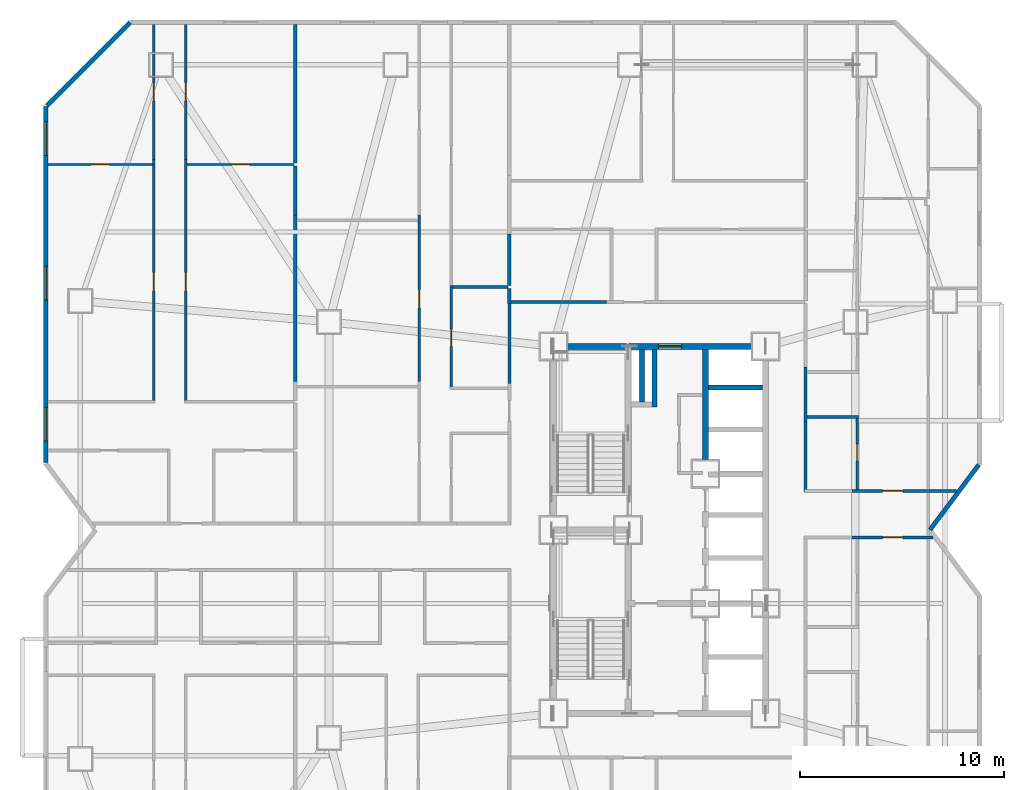
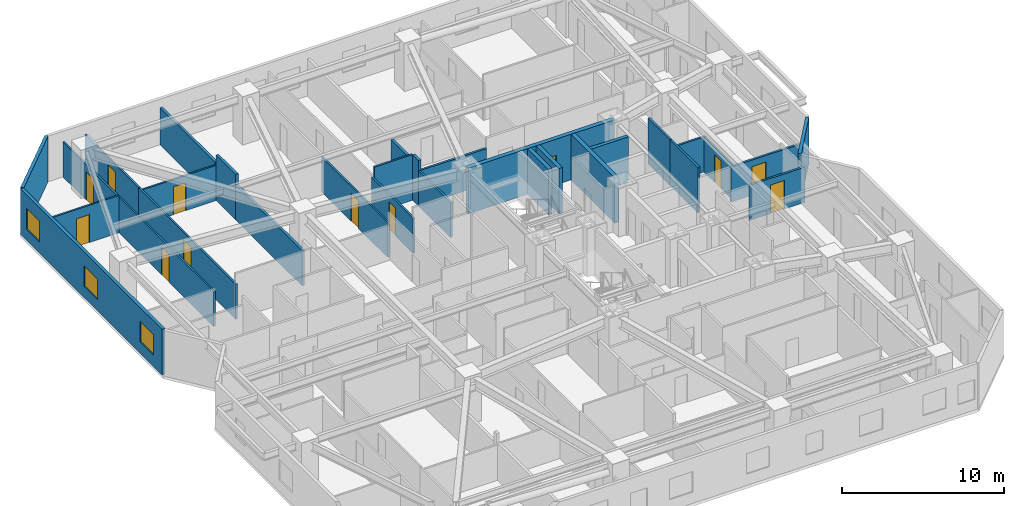
# One storey, part 11 of 14: 30 walls, 12 doors, 3 windows, 15 openings.
"""IFC4 building model written with IfcOpenShell, lengths in metres."""

from ifc_helpers import new_model, si_unit, direction, frame, frame_2d, origin, place, context, subcontext, project, spatial, rectangle, extrude, material, layer, layer_set, type_object, element, fill, save


model = new_model("IFC4")

# Units and contexts
model_context = context("Model", 3, precision=1e-05, world=origin(), true_north=direction((0.0, 1.0)))
body_context = subcontext(model_context, "Body", "Model", "MODEL_VIEW")
ifc_project = project(units=[si_unit("LENGTHUNIT", "METRE"), si_unit("AREAUNIT", "SQUARE_METRE"), si_unit("VOLUMEUNIT", "CUBIC_METRE"), si_unit("PLANEANGLEUNIT", "RADIAN"), si_unit("MASSUNIT", "GRAM", prefix="KILO")], contexts=[model_context])

# Site, building, storey
site_placement = place(None, origin())
site = spatial("IfcSite", under=ifc_project, at=site_placement, CompositionType="ELEMENT")
building_placement = place(site_placement, origin())
building = spatial("IfcBuilding", under=site, at=building_placement, Name="Khamvora Tower", CompositionType="ELEMENT")
storey_placement = place(building_placement, frame((0.0, 0.0, 40.60009765625)))
storey = spatial("IfcBuildingStorey", under=building, at=storey_placement, Name="L09", CompositionType="ELEMENT", Elevation=40.60009765625)

# Wall, opening, door
ifc_material_1 = material(Name="Concrete C50/60", Category="concrete")
ifc_layer_1 = layer(ifc_material_1, 0.300048828125)
ifc_layer_set_1 = layer_set([ifc_layer_1], Name="Concrete C50/60")
wall_type_1 = type_object("IfcWallType", Name="WAL-CORE-300", PredefinedType="SHEAR", material=ifc_layer_set_1)
wall_1_placement = place(storey_placement, frame((29.0, 37.0, 0.0), z_axis=(0.0, 0.0, 1.0), x_axis=(1.0, 0.0, 0.0)))
wall_1 = element("IfcWall", 1, at=wall_1_placement, inside=storey, type_object=wall_type_1, Name="L09 central core north wall", PredefinedType="SHEAR", context=body_context, shape_type="SweptSolid", body=[
    extrude(rectangle(XDim=10.39990234375, YDim=0.300048828125, at=frame_2d((5.199951171875, 0.0))), origin(), (0.0, 0.0, 1.0), 3.429931640625),
])
opening_1_placement = place(wall_1_placement, frame((5.139892578125, 0.0, 0.0)))
opening_1 = element("IfcOpeningElement", 2, at=opening_1_placement, cuts=wall_1, Name="Opening D-SC1", PredefinedType="OPENING", context=body_context, shape_type="SweptSolid", body=[
    extrude(rectangle(XDim=1.14990234375, YDim=2.199951171875, at=frame_2d((0.574951171875, 1.10009765625))), frame((0.0, 0.159912109375, 0.0), z_axis=(0.0, -1.0, 0.0), x_axis=(1.0, 0.0, 0.0)), (0.0, 0.0, 1.0), 0.320068359375),
])
ifc_material_2 = material(Name="Powder-Coated Steel and Hardwood Leaf", Category="steel")
door_type_1 = type_object("IfcDoorType", Name="DOR-SCHL-1150", OperationType="NOTDEFINED", PredefinedType="DOOR", material=ifc_material_2)
door_1_placement = place(opening_1_placement, origin())
door_1 = element("IfcDoor", 3, at=door_1_placement, inside=storey, type_object=door_type_1, Name="L09 north core lobby to corridor fire door", OperationType="SINGLE_SWING_RIGHT", OverallHeight=2.199951171875, OverallWidth=1.14990234375, PredefinedType="DOOR", context=body_context, shape_type="SweptSolid", body=[
    extrude(rectangle(XDim=1.14990234375, YDim=2.199951171875, at=frame_2d((0.574951171875, 1.10009765625))), frame((0.0, 0.02490234375, 0.0), z_axis=(0.0, -1.0, 0.0), x_axis=(1.0, 0.0, 0.0)), (0.0, 0.0, 1.0), 0.050048828125),
])
fill(opening_1, door_1)

# Walls
wall_2_placement = place(storey_placement, frame((36.449951171875, 31.449951171875, 0.0), z_axis=(0.0, 0.0, 1.0), x_axis=(0.0, 1.0, 0.0)))
element("IfcWall", 4, at=wall_2_placement, inside=storey, type_object=wall_type_1, Name="L09 central core lift bank north wall", PredefinedType="SHEAR", context=body_context, shape_type="SweptSolid", body=[
    extrude(rectangle(XDim=5.39599609375, YDim=0.300048828125, at=frame_2d((2.697998046875, 0.0))), origin(), (0.0, 0.0, 1.0), 3.429931640625),
])
ifc_material_3 = material(Name="Fire-Rated Drywall and Steel Stud", Category="steel")
ifc_layer_2 = layer(ifc_material_3, 0.14990234375)
ifc_layer_set_2 = layer_set([ifc_layer_2], Name="Fire-Rated Drywall and Steel Stud")
wall_type_2 = type_object("IfcWallType", Name="WAL-CORR-150", PredefinedType="STANDARD", material=ifc_layer_set_2)
wall_3_placement = place(storey_placement, frame((26.8349609375, 35.18994140625, 0.0), z_axis=(0.0, 0.0, 1.0), x_axis=(0.0, 1.0, 0.0)))
element("IfcWall", 5, at=wall_3_placement, inside=storey, type_object=wall_type_2, Name="L09 interior partition wall 020", PredefinedType="STANDARD", context=body_context, shape_type="SweptSolid", body=[
    extrude(rectangle(XDim=3.91015625, YDim=0.14990234375, at=frame_2d((1.955078125, 0.0))), origin(), (0.0, 0.0, 1.0), 2.64697265625),
])
wall_4_placement = place(storey_placement, frame((26.89990234375, 39.1650390625, 0.0), z_axis=(0.0, 0.0, 1.0), x_axis=(1.0, 0.0, 0.0)))
element("IfcWall", 6, at=wall_4_placement, inside=storey, type_object=wall_type_2, Name="L09 interior partition wall 026", PredefinedType="STANDARD", context=body_context, shape_type="SweptSolid", body=[
    extrude(rectangle(XDim=4.701171875, YDim=0.14990234375, at=frame_2d((2.3505859375, 0.0))), origin(), (0.0, 0.0, 1.0), 2.64697265625),
])

# Wall, opening, door
wall_5_placement = place(storey_placement, frame((47.611083984375, 27.635009765625, 0.0), z_axis=(0.0, 0.0, 1.0), x_axis=(-1.0, 0.0, 0.0)))
wall_5 = element("IfcWall", 7, at=wall_5_placement, inside=storey, type_object=wall_type_2, Name="L09 interior partition wall 029", PredefinedType="STANDARD", context=body_context, shape_type="SweptSolid", body=[
    extrude(rectangle(XDim=3.965087890625, YDim=0.14990234375, at=frame_2d((1.982421875, 0.0))), origin(), (0.0, 0.0, 1.0), 2.64697265625),
])
opening_2_placement = place(wall_5_placement, frame((1.47607421875, 0.0, 0.0)))
opening_2 = element("IfcOpeningElement", 8, at=opening_2_placement, cuts=wall_5, Name="Opening D-U1", PredefinedType="OPENING", context=body_context, shape_type="SweptSolid", body=[
    extrude(rectangle(XDim=1.0, YDim=2.14990234375, at=frame_2d((0.5, 1.074951171875))), frame((0.0, 0.0849609375, 0.0), z_axis=(0.0, -1.0, 0.0), x_axis=(1.0, 0.0, 0.0)), (0.0, 0.0, 1.0), 0.169921875),
])
door_type_2 = type_object("IfcDoorType", Name="DOR-UNIT-1000", OperationType="NOTDEFINED", PredefinedType="DOOR", material=ifc_material_2)
door_2_placement = place(opening_2_placement, origin())
door_2 = element("IfcDoor", 9, at=door_2_placement, inside=storey, type_object=door_type_2, Name="L09 interior door COR-09EAH", OperationType="SINGLE_SWING_RIGHT", OverallHeight=2.14990234375, OverallWidth=1.0, PredefinedType="DOOR", context=body_context, shape_type="SweptSolid", body=[
    extrude(rectangle(XDim=1.0, YDim=2.14990234375, at=frame_2d((0.5, 1.074951171875))), frame((0.0, 0.02490234375, 0.0), z_axis=(0.0, -1.0, 0.0), x_axis=(1.0, 0.0, 0.0)), (0.0, 0.0, 1.0), 0.050048828125),
])
fill(opening_2, door_2)

# Wall
wall_6_placement = place(storey_placement, frame((41.364990234375, 35.989990234375, 0.0), z_axis=(0.0, 0.0, 1.0), x_axis=(0.0, -1.0, 0.0)))
element("IfcWall", 10, at=wall_6_placement, inside=storey, type_object=wall_type_2, Name="L09 interior partition wall 034", PredefinedType="STANDARD", context=body_context, shape_type="SweptSolid", body=[
    extrude(rectangle(XDim=2.697998046875, YDim=0.14990234375, at=frame_2d((1.34912109375, 0.0))), origin(), (0.0, 0.0, 1.0), 3.429931640625),
])

# Wall, opening, door
wall_7_placement = place(storey_placement, frame((43.64599609375, 29.9150390625, 0.0), z_axis=(0.0, 0.0, 1.0), x_axis=(1.0, 0.0, 0.0)))
wall_7 = element("IfcWall", 11, at=wall_7_placement, inside=storey, type_object=wall_type_2, Name="L09 interior partition wall 035", PredefinedType="STANDARD", context=body_context, shape_type="SweptSolid", body=[
    extrude(rectangle(XDim=5.125, YDim=0.14990234375, at=frame_2d((2.5625, 0.0))), origin(), (0.0, 0.0, 1.0), 2.64697265625),
])
opening_3_placement = place(wall_7_placement, frame((1.489013671875, 0.0, 0.0)))
opening_3 = element("IfcOpeningElement", 12, at=opening_3_placement, cuts=wall_7, Name="Opening D-U1", PredefinedType="OPENING", context=body_context, shape_type="SweptSolid", body=[
    extrude(rectangle(XDim=1.0, YDim=2.14990234375, at=frame_2d((0.5, 1.074951171875))), frame((0.0, 0.0849609375, 0.0), z_axis=(0.0, -1.0, 0.0), x_axis=(1.0, 0.0, 0.0)), (0.0, 0.0, 1.0), 0.169921875),
])
door_3_placement = place(opening_3_placement, origin())
door_3 = element("IfcDoor", 13, at=door_3_placement, inside=storey, type_object=door_type_2, Name="L09 interior door COR-09EBH", OperationType="SINGLE_SWING_LEFT", OverallHeight=2.14990234375, OverallWidth=1.0, PredefinedType="DOOR", context=body_context, shape_type="SweptSolid", body=[
    extrude(rectangle(XDim=1.0, YDim=2.14990234375, at=frame_2d((0.5, 1.074951171875))), frame((0.0, 0.02490234375, 0.0), z_axis=(0.0, -1.0, 0.0), x_axis=(1.0, 0.0, 0.0)), (0.0, 0.0, 1.0), 0.050048828125),
])
fill(opening_3, door_3)

# Walls
wall_8_placement = place(storey_placement, frame((41.364990234375, 33.2919921875, 0.0), z_axis=(0.0, 0.0, 1.0), x_axis=(0.0, -1.0, 0.0)))
element("IfcWall", 14, at=wall_8_placement, inside=storey, type_object=wall_type_2, Name="L09 interior partition wall 036", PredefinedType="STANDARD", context=body_context, shape_type="SweptSolid", body=[
    extrude(rectangle(XDim=3.44189453125, YDim=0.14990234375, at=frame_2d((1.720947265625, 0.0))), origin(), (0.0, 0.0, 1.0), 3.429931640625),
])
ifc_material_4 = material(Name="Acoustic Double-Stud Fire Wall", Category="gypsum")
ifc_layer_3 = layer(ifc_material_4, 0.179931640625)
ifc_layer_set_3 = layer_set([ifc_layer_3], Name="Acoustic Double-Stud Fire Wall")
wall_type_3 = type_object("IfcWallType", Name="WAL-CORR-180", PredefinedType="STANDARD", material=ifc_layer_set_3)
wall_9_placement = place(storey_placement, frame((16.345947265625, 43.44091796875, 0.0), z_axis=(0.0, 0.0, 1.0), x_axis=(0.0, -1.0, 0.0)))
element("IfcWall", 15, at=wall_9_placement, inside=storey, type_object=wall_type_3, Name="L09 interior partition wall 088", PredefinedType="STANDARD", context=body_context, shape_type="SweptSolid", body=[
    extrude(rectangle(XDim=8.169921875, YDim=0.179931640625, at=frame_2d((4.0849609375, 0.0))), origin(), (0.0, 0.0, 1.0), 2.64697265625),
])
wall_10_placement = place(storey_placement, frame((16.345947265625, 45.85107421875, 0.0), z_axis=(0.0, 0.0, 1.0), x_axis=(0.0, -1.0, 0.0)))
element("IfcWall", 16, at=wall_10_placement, inside=storey, type_object=wall_type_3, Name="L09 interior partition wall 089", PredefinedType="STANDARD", context=body_context, shape_type="SweptSolid", body=[
    extrude(rectangle(XDim=2.41015625, YDim=0.179931640625, at=frame_2d((1.205078125, 0.0))), origin(), (0.0, 0.0, 1.0), 3.429931640625),
])
wall_11_placement = place(storey_placement, frame((16.345947265625, 52.7880859375, 0.0), z_axis=(0.0, 0.0, 1.0), x_axis=(0.0, -1.0, 0.0)))
element("IfcWall", 17, at=wall_11_placement, inside=storey, type_object=wall_type_3, Name="L09 interior partition wall 090", PredefinedType="STANDARD", context=body_context, shape_type="SweptSolid", body=[
    extrude(rectangle(XDim=6.80712890625, YDim=0.179931640625, at=frame_2d((3.403564453125, 0.0))), origin(), (0.0, 0.0, 1.0), 2.802978515625),
])
wall_12_placement = place(storey_placement, frame((26.8349609375, 42.49609375, 0.0), z_axis=(0.0, 0.0, 1.0), x_axis=(0.0, -1.0, 0.0)))
element("IfcWall", 18, at=wall_12_placement, inside=storey, type_object=wall_type_3, Name="L09 interior partition wall 094", PredefinedType="STANDARD", context=body_context, shape_type="SweptSolid", body=[
    extrude(rectangle(XDim=2.525146484375, YDim=0.179931640625, at=frame_2d((1.2626953125, 0.0))), origin(), (0.0, 0.0, 1.0), 2.956787109375),
])
wall_13_placement = place(storey_placement, frame((26.8349609375, 39.841064453125, 0.0), z_axis=(0.0, 0.0, 1.0), x_axis=(0.0, -1.0, 0.0)))
element("IfcWall", 19, at=wall_13_placement, inside=storey, type_object=wall_type_3, Name="L09 interior partition wall 103", PredefinedType="STANDARD", context=body_context, shape_type="SweptSolid", body=[
    extrude(rectangle(XDim=0.740966796875, YDim=0.179931640625, at=frame_2d((0.37060546875, 0.0))), origin(), (0.0, 0.0, 1.0), 3.429931640625),
])

# Wall, openings, windows
ifc_material_5 = material(Name="Precast concrete C40/50", Category="concrete")
ifc_layer_4 = layer(ifc_material_5, 0.219970703125)
ifc_layer_set_4 = layer_set([ifc_layer_4], Name="Precast concrete C40/50")
wall_type_4 = type_object("IfcWallType", Name="WAL-EXT-220", PredefinedType="STANDARD", material=ifc_layer_set_4)
wall_14_placement = place(storey_placement, frame((4.110107421875, 31.294921875, 0.0), z_axis=(0.0, 0.0, 1.0), x_axis=(0.0, 1.0, 0.0)))
wall_14 = element("IfcWall", 20, at=wall_14_placement, inside=storey, type_object=wall_type_4, Name="L09 exterior facade wall 05.1", PredefinedType="STANDARD", context=body_context, shape_type="SweptSolid", body=[
    extrude(rectangle(XDim=17.458984375, YDim=0.219970703125, at=frame_2d((8.7294921875, 0.0))), origin(), (0.0, 0.0, 1.0), 3.429931640625),
])
opening_4_placement = place(wall_14_placement, frame((1.05810546875, 0.0, 0.85009765625)))
opening_4 = element("IfcOpeningElement", 21, at=opening_4_placement, cuts=wall_14, Name="Opening WN-06", PredefinedType="OPENING", context=body_context, shape_type="SweptSolid", body=[
    extrude(rectangle(XDim=1.64990234375, YDim=1.550048828125, at=frame_2d((0.824951171875, 0.77490234375))), frame((0.0, 0.119873046875, 0.0), z_axis=(0.0, -1.0, 0.0), x_axis=(1.0, 0.0, 0.0)), (0.0, 0.0, 1.0), 0.239990234375),
])
opening_5_placement = place(wall_14_placement, frame((7.97607421875, 0.0, 0.85009765625)))
opening_5 = element("IfcOpeningElement", 22, at=opening_5_placement, cuts=wall_14, Name="Opening WN-06", PredefinedType="OPENING", context=body_context, shape_type="SweptSolid", body=[
    extrude(rectangle(XDim=1.64990234375, YDim=1.550048828125, at=frame_2d((0.824951171875, 0.77490234375))), frame((0.0, 0.119873046875, 0.0), z_axis=(0.0, -1.0, 0.0), x_axis=(1.0, 0.0, 0.0)), (0.0, 0.0, 1.0), 0.239990234375),
])
opening_6_placement = place(wall_14_placement, frame((15.072998046875, 0.0, 0.85009765625)))
opening_6 = element("IfcOpeningElement", 23, at=opening_6_placement, cuts=wall_14, Name="Opening WN-06", PredefinedType="OPENING", context=body_context, shape_type="SweptSolid", body=[
    extrude(rectangle(XDim=1.64990234375, YDim=1.550048828125, at=frame_2d((0.824951171875, 0.77490234375))), frame((0.0, 0.119873046875, 0.0), z_axis=(0.0, -1.0, 0.0), x_axis=(1.0, 0.0, 0.0)), (0.0, 0.0, 1.0), 0.239990234375),
])
ifc_material_6 = material(Name="Low-E Laminated Double Glazing", Category="glass")
window_type = type_object("IfcWindowType", Name="WIN-VIS-1650x1550", PartitioningType="SINGLE_PANEL", PredefinedType="WINDOW", material=ifc_material_6)
window_1_placement = place(opening_4_placement, origin())
window_1 = element("IfcWindow", 24, at=window_1_placement, inside=storey, type_object=window_type, Name="L09 vision window 05.1.01", OverallHeight=1.550048828125, OverallWidth=1.64990234375, PartitioningType="SINGLE_PANEL", PredefinedType="WINDOW", context=body_context, shape_type="SweptSolid", body=[
    extrude(rectangle(XDim=1.64990234375, YDim=1.550048828125, at=frame_2d((0.824951171875, 0.77490234375))), frame((0.0, 0.030029296875, 0.0), z_axis=(0.0, -1.0, 0.0), x_axis=(1.0, 0.0, 0.0)), (0.0, 0.0, 1.0), 0.06005859375),
])
fill(opening_4, window_1)
window_2_placement = place(opening_5_placement, origin())
window_2 = element("IfcWindow", 25, at=window_2_placement, inside=storey, type_object=window_type, Name="L09 vision window 05.1.02", OverallHeight=1.550048828125, OverallWidth=1.64990234375, PartitioningType="SINGLE_PANEL", PredefinedType="WINDOW", context=body_context, shape_type="SweptSolid", body=[
    extrude(rectangle(XDim=1.64990234375, YDim=1.550048828125, at=frame_2d((0.824951171875, 0.77490234375))), frame((0.0, 0.030029296875, 0.0), z_axis=(0.0, -1.0, 0.0), x_axis=(1.0, 0.0, 0.0)), (0.0, 0.0, 1.0), 0.06005859375),
])
fill(opening_5, window_2)
window_3_placement = place(opening_6_placement, origin())
window_3 = element("IfcWindow", 26, at=window_3_placement, inside=storey, type_object=window_type, Name="L09 vision window 05.1.03", OverallHeight=1.550048828125, OverallWidth=1.64990234375, PartitioningType="SINGLE_PANEL", PredefinedType="WINDOW", context=body_context, shape_type="SweptSolid", body=[
    extrude(rectangle(XDim=1.64990234375, YDim=1.550048828125, at=frame_2d((0.824951171875, 0.77490234375))), frame((0.0, 0.030029296875, 0.0), z_axis=(0.0, -1.0, 0.0), x_axis=(1.0, 0.0, 0.0)), (0.0, 0.0, 1.0), 0.06005859375),
])
fill(opening_6, window_3)

# Walls
wall_15_placement = place(storey_placement, frame((4.157958984375, 48.802001953125, 0.0), z_axis=(0.0, 0.0, 1.0), x_axis=(0.70712789547, 0.707085666273, 0.0)))
element("IfcWall", 27, at=wall_15_placement, inside=storey, type_object=wall_type_4, Name="L09 exterior facade wall 06.1", PredefinedType="STANDARD", context=body_context, shape_type="SweptSolid", body=[
    extrude(rectangle(XDim=5.78125, YDim=0.219970703125, at=frame_2d((2.890625, 0.0))), origin(), (0.0, 0.0, 1.0), 3.429931640625),
])
wall_16_placement = place(storey_placement, frame((49.85595703125, 31.19091796875, 0.0), z_axis=(0.0, 0.0, 1.0), x_axis=(-0.600137081448, -0.799897170561, 0.0)))
element("IfcWall", 28, at=wall_16_placement, inside=storey, type_object=wall_type_4, Name="L09 exterior facade wall 10.1", PredefinedType="STANDARD", context=body_context, shape_type="SweptSolid", body=[
    extrude(rectangle(XDim=3.9892578125, YDim=0.219970703125, at=frame_2d((1.99462890625, 0.0))), origin(), (0.0, 0.0, 1.0), 3.429931640625),
])

# Wall, opening, door
ifc_material_7 = material(Name="Gypsum Plasterboard Partition", Category="gypsum")
ifc_layer_5 = layer(ifc_material_7, 0.1201171875)
ifc_layer_set_5 = layer_set([ifc_layer_5], Name="Gypsum Plasterboard Partition")
wall_type_5 = type_object("IfcWallType", Name="WAL-PART-120", PredefinedType="PARTITIONING", material=ifc_layer_set_5)
wall_17_placement = place(storey_placement, frame((9.410888671875, 34.2099609375, 0.0), z_axis=(0.0, 0.0, 1.0), x_axis=(0.0, 1.0, 0.0)))
wall_17 = element("IfcWall", 29, at=wall_17_placement, inside=storey, type_object=wall_type_5, Name="L09 interior partition wall 078", PredefinedType="PARTITIONING", context=body_context, shape_type="SweptSolid", body=[
    extrude(rectangle(XDim=11.955078125, YDim=0.1201171875, at=frame_2d((5.9775390625, 0.0))), origin(), (0.0, 0.0, 1.0), 2.64697265625),
])
opening_7_placement = place(wall_17_placement, frame((5.506103515625, 0.0, 0.0)))
opening_7 = element("IfcOpeningElement", 30, at=opening_7_placement, cuts=wall_17, Name="Opening D-RM1", PredefinedType="OPENING", context=body_context, shape_type="SweptSolid", body=[
    extrude(rectangle(XDim=0.89990234375, YDim=2.10009765625, at=frame_2d((0.449951171875, 1.050048828125))), frame((0.0, 0.070068359375, 0.0), z_axis=(0.0, -1.0, 0.0), x_axis=(1.0, 0.0, 0.0)), (0.0, 0.0, 1.0), 0.14013671875),
])
door_type_3 = type_object("IfcDoorType", Name="DOR-ROOM-900", OperationType="NOTDEFINED", PredefinedType="DOOR", material=ifc_material_2)
door_4_placement = place(opening_7_placement, origin())
door_4 = element("IfcDoor", 31, at=door_4_placement, inside=storey, type_object=door_type_3, Name="L09 interior door 09WB1H-09WB1R1", OperationType="SINGLE_SWING_RIGHT", OverallHeight=2.10009765625, OverallWidth=0.89990234375, PredefinedType="DOOR", context=body_context, shape_type="SweptSolid", body=[
    extrude(rectangle(XDim=0.89990234375, YDim=2.10009765625, at=frame_2d((0.449951171875, 1.050048828125))), frame((0.0, 0.02490234375, 0.0), z_axis=(0.0, -1.0, 0.0), x_axis=(1.0, 0.0, 0.0)), (0.0, 0.0, 1.0), 0.050048828125),
])
fill(opening_7, door_4)

wall_18_placement = place(storey_placement, frame((9.410888671875, 46.1650390625, 0.0), z_axis=(0.0, 0.0, 1.0), x_axis=(0.0, 1.0, 0.0)))
wall_18 = element("IfcWall", 32, at=wall_18_placement, inside=storey, type_object=wall_type_5, Name="L09 interior partition wall 079", PredefinedType="PARTITIONING", context=body_context, shape_type="SweptSolid", body=[
    extrude(rectangle(XDim=6.623046875, YDim=0.1201171875, at=frame_2d((3.3115234375, 0.0))), origin(), (0.0, 0.0, 1.0), 2.64697265625),
])
opening_8_placement = place(wall_18_placement, frame((2.861083984375, 0.0, 0.0)))
opening_8 = element("IfcOpeningElement", 33, at=opening_8_placement, cuts=wall_18, Name="Opening D-RM1", PredefinedType="OPENING", context=body_context, shape_type="SweptSolid", body=[
    extrude(rectangle(XDim=0.89990234375, YDim=2.10009765625, at=frame_2d((0.449951171875, 1.050048828125))), frame((0.0, 0.070068359375, 0.0), z_axis=(0.0, -1.0, 0.0), x_axis=(1.0, 0.0, 0.0)), (0.0, 0.0, 1.0), 0.14013671875),
])
door_5_placement = place(opening_8_placement, origin())
door_5 = element("IfcDoor", 34, at=door_5_placement, inside=storey, type_object=door_type_3, Name="L09 interior door 09WB1H-09WB1R2", OperationType="SINGLE_SWING_LEFT", OverallHeight=2.10009765625, OverallWidth=0.89990234375, PredefinedType="DOOR", context=body_context, shape_type="SweptSolid", body=[
    extrude(rectangle(XDim=0.89990234375, YDim=2.10009765625, at=frame_2d((0.449951171875, 1.050048828125))), frame((0.0, 0.02490234375, 0.0), z_axis=(0.0, -1.0, 0.0), x_axis=(1.0, 0.0, 0.0)), (0.0, 0.0, 1.0), 0.050048828125),
])
fill(opening_8, door_5)

wall_19_placement = place(storey_placement, frame((10.98095703125, 46.1650390625, 0.0), z_axis=(0.0, 0.0, 1.0), x_axis=(0.0, -1.0, 0.0)))
wall_19 = element("IfcWall", 35, at=wall_19_placement, inside=storey, type_object=wall_type_5, Name="L09 interior partition wall 080", PredefinedType="PARTITIONING", context=body_context, shape_type="SweptSolid", body=[
    extrude(rectangle(XDim=11.955078125, YDim=0.1201171875, at=frame_2d((5.9775390625, 0.0))), origin(), (0.0, 0.0, 1.0), 2.64697265625),
])
opening_9_placement = place(wall_19_placement, frame((5.548095703125, 0.0, 0.0)))
opening_9 = element("IfcOpeningElement", 36, at=opening_9_placement, cuts=wall_19, Name="Opening D-RM1", PredefinedType="OPENING", context=body_context, shape_type="SweptSolid", body=[
    extrude(rectangle(XDim=0.89990234375, YDim=2.10009765625, at=frame_2d((0.449951171875, 1.050048828125))), frame((0.0, 0.070068359375, 0.0), z_axis=(0.0, -1.0, 0.0), x_axis=(1.0, 0.0, 0.0)), (0.0, 0.0, 1.0), 0.14013671875),
])
door_6_placement = place(opening_9_placement, origin())
door_6 = element("IfcDoor", 37, at=door_6_placement, inside=storey, type_object=door_type_3, Name="L09 interior door 09WB1H-09WB1R3", OperationType="SINGLE_SWING_RIGHT", OverallHeight=2.10009765625, OverallWidth=0.89990234375, PredefinedType="DOOR", context=body_context, shape_type="SweptSolid", body=[
    extrude(rectangle(XDim=0.89990234375, YDim=2.10009765625, at=frame_2d((0.449951171875, 1.050048828125))), frame((0.0, 0.02490234375, 0.0), z_axis=(0.0, -1.0, 0.0), x_axis=(1.0, 0.0, 0.0)), (0.0, 0.0, 1.0), 0.050048828125),
])
fill(opening_9, door_6)

wall_20_placement = place(storey_placement, frame((10.98095703125, 52.7880859375, 0.0), z_axis=(0.0, 0.0, 1.0), x_axis=(0.0, -1.0, 0.0)))
wall_20 = element("IfcWall", 38, at=wall_20_placement, inside=storey, type_object=wall_type_5, Name="L09 interior partition wall 082", PredefinedType="PARTITIONING", context=body_context, shape_type="SweptSolid", body=[
    extrude(rectangle(XDim=6.623046875, YDim=0.1201171875, at=frame_2d((3.3115234375, 0.0))), origin(), (0.0, 0.0, 1.0), 2.64697265625),
])
opening_10_placement = place(wall_20_placement, frame((2.861083984375, 0.0, 0.0)))
opening_10 = element("IfcOpeningElement", 39, at=opening_10_placement, cuts=wall_20, Name="Opening D-RM1", PredefinedType="OPENING", context=body_context, shape_type="SweptSolid", body=[
    extrude(rectangle(XDim=0.89990234375, YDim=2.10009765625, at=frame_2d((0.449951171875, 1.050048828125))), frame((0.0, 0.070068359375, 0.0), z_axis=(0.0, -1.0, 0.0), x_axis=(1.0, 0.0, 0.0)), (0.0, 0.0, 1.0), 0.14013671875),
])
door_7_placement = place(opening_10_placement, origin())
door_7 = element("IfcDoor", 40, at=door_7_placement, inside=storey, type_object=door_type_3, Name="L09 interior door 09WB1H-09WB1R4", OperationType="SINGLE_SWING_RIGHT", OverallHeight=2.10009765625, OverallWidth=0.89990234375, PredefinedType="DOOR", context=body_context, shape_type="SweptSolid", body=[
    extrude(rectangle(XDim=0.89990234375, YDim=2.10009765625, at=frame_2d((0.449951171875, 1.050048828125))), frame((0.0, 0.02490234375, 0.0), z_axis=(0.0, -1.0, 0.0), x_axis=(1.0, 0.0, 0.0)), (0.0, 0.0, 1.0), 0.050048828125),
])
fill(opening_10, door_7)

wall_21_placement = place(storey_placement, frame((4.2119140625, 45.916015625, 0.0), z_axis=(0.0, 0.0, 1.0), x_axis=(1.0, 0.0, 0.0)))
wall_21 = element("IfcWall", 41, at=wall_21_placement, inside=storey, type_object=wall_type_5, Name="L09 interior partition wall 085", PredefinedType="PARTITIONING", context=body_context, shape_type="SweptSolid", body=[
    extrude(rectangle(XDim=5.14501953125, YDim=0.1201171875, at=frame_2d((2.572509765625, 0.0))), origin(), (0.0, 0.0, 1.0), 2.802978515625),
])
opening_11_placement = place(wall_21_placement, frame((2.1220703125, 0.0, 0.0)))
opening_11 = element("IfcOpeningElement", 42, at=opening_11_placement, cuts=wall_21, Name="Opening D-RM1", PredefinedType="OPENING", context=body_context, shape_type="SweptSolid", body=[
    extrude(rectangle(XDim=0.89990234375, YDim=2.10009765625, at=frame_2d((0.449951171875, 1.050048828125))), frame((0.0, 0.070068359375, 0.0), z_axis=(0.0, -1.0, 0.0), x_axis=(1.0, 0.0, 0.0)), (0.0, 0.0, 1.0), 0.14013671875),
])
door_8_placement = place(opening_11_placement, origin())
door_8 = element("IfcDoor", 43, at=door_8_placement, inside=storey, type_object=door_type_3, Name="L09 interior door 09WB1R1-09WB1R2", OperationType="SINGLE_SWING_RIGHT", OverallHeight=2.10009765625, OverallWidth=0.89990234375, PredefinedType="DOOR", context=body_context, shape_type="SweptSolid", body=[
    extrude(rectangle(XDim=0.89990234375, YDim=2.10009765625, at=frame_2d((0.449951171875, 1.050048828125))), frame((0.0, 0.02490234375, 0.0), z_axis=(0.0, -1.0, 0.0), x_axis=(1.0, 0.0, 0.0)), (0.0, 0.0, 1.0), 0.050048828125),
])
fill(opening_11, door_8)

wall_22_placement = place(storey_placement, frame((11.034912109375, 45.916015625, 0.0), z_axis=(0.0, 0.0, 1.0), x_axis=(1.0, 0.0, 0.0)))
wall_22 = element("IfcWall", 44, at=wall_22_placement, inside=storey, type_object=wall_type_5, Name="L09 interior partition wall 086", PredefinedType="PARTITIONING", context=body_context, shape_type="SweptSolid", body=[
    extrude(rectangle(XDim=5.24609375, YDim=0.1201171875, at=frame_2d((2.623046875, 0.0))), origin(), (0.0, 0.0, 1.0), 2.64697265625),
])
opening_12_placement = place(wall_22_placement, frame((2.173095703125, 0.0, 0.0)))
opening_12 = element("IfcOpeningElement", 45, at=opening_12_placement, cuts=wall_22, Name="Opening D-RM1", PredefinedType="OPENING", context=body_context, shape_type="SweptSolid", body=[
    extrude(rectangle(XDim=0.89990234375, YDim=2.10009765625, at=frame_2d((0.449951171875, 1.050048828125))), frame((0.0, 0.070068359375, 0.0), z_axis=(0.0, -1.0, 0.0), x_axis=(1.0, 0.0, 0.0)), (0.0, 0.0, 1.0), 0.14013671875),
])
door_9_placement = place(opening_12_placement, origin())
door_9 = element("IfcDoor", 46, at=door_9_placement, inside=storey, type_object=door_type_3, Name="L09 interior door 09WB1R3-09WB1R4", OperationType="SINGLE_SWING_LEFT", OverallHeight=2.10009765625, OverallWidth=0.89990234375, PredefinedType="DOOR", context=body_context, shape_type="SweptSolid", body=[
    extrude(rectangle(XDim=0.89990234375, YDim=2.10009765625, at=frame_2d((0.449951171875, 1.050048828125))), frame((0.0, 0.02490234375, 0.0), z_axis=(0.0, -1.0, 0.0), x_axis=(1.0, 0.0, 0.0)), (0.0, 0.0, 1.0), 0.050048828125),
])
fill(opening_12, door_9)

wall_23_placement = place(storey_placement, frame((22.409912109375, 35.27099609375, 0.0), z_axis=(0.0, 0.0, 1.0), x_axis=(0.0, 1.0, 0.0)))
wall_23 = element("IfcWall", 47, at=wall_23_placement, inside=storey, type_object=wall_type_5, Name="L09 interior partition wall 101", PredefinedType="PARTITIONING", context=body_context, shape_type="SweptSolid", body=[
    extrude(rectangle(XDim=8.169921875, YDim=0.1201171875, at=frame_2d((4.0849609375, 0.0))), origin(), (0.0, 0.0, 1.0), 2.64697265625),
])
opening_13_placement = place(wall_23_placement, frame((3.614013671875, 0.0, 0.0)))
opening_13 = element("IfcOpeningElement", 48, at=opening_13_placement, cuts=wall_23, Name="Opening D-RM1", PredefinedType="OPENING", context=body_context, shape_type="SweptSolid", body=[
    extrude(rectangle(XDim=0.89990234375, YDim=2.10009765625, at=frame_2d((0.449951171875, 1.050048828125))), frame((0.0, 0.070068359375, 0.0), z_axis=(0.0, -1.0, 0.0), x_axis=(1.0, 0.0, 0.0)), (0.0, 0.0, 1.0), 0.14013671875),
])
door_10_placement = place(opening_13_placement, origin())
door_10 = element("IfcDoor", 49, at=door_10_placement, inside=storey, type_object=door_type_3, Name="L09 interior door 09WB2H-09WB2R2", OperationType="SINGLE_SWING_RIGHT", OverallHeight=2.10009765625, OverallWidth=0.89990234375, PredefinedType="DOOR", context=body_context, shape_type="SweptSolid", body=[
    extrude(rectangle(XDim=0.89990234375, YDim=2.10009765625, at=frame_2d((0.449951171875, 1.050048828125))), frame((0.0, 0.02490234375, 0.0), z_axis=(0.0, -1.0, 0.0), x_axis=(1.0, 0.0, 0.0)), (0.0, 0.0, 1.0), 0.050048828125),
])
fill(opening_13, door_10)

# Walls
ifc_material_8 = material(Name="Concrete C40/50", Category="concrete")
ifc_layer_6 = layer(ifc_material_8, 0.25)
ifc_layer_set_6 = layer_set([ifc_layer_6], Name="Concrete C40/50")
wall_type_6 = type_object("IfcWallType", Name="WAL-PODS-250", PredefinedType="SHEAR", material=ifc_layer_set_6)
wall_24_placement = place(storey_placement, frame((36.60400390625, 34.97509765625, 0.0), z_axis=(0.0, 0.0, 1.0), x_axis=(1.0, 0.0, 0.0)))
element("IfcWall", 50, at=wall_24_placement, inside=storey, type_object=wall_type_6, Name="L09 lift shaft divider wall PH-02", PredefinedType="SHEAR", context=body_context, shape_type="SweptSolid", body=[
    extrude(rectangle(XDim=2.64208984375, YDim=0.25, at=frame_2d((1.321044921875, 0.0))), origin(), (0.0, 0.0, 1.0), 3.429931640625),
])
wall_25_placement = place(storey_placement, frame((33.955078125, 34.02490234375, 0.0), z_axis=(0.0, 0.0, 1.0), x_axis=(0.0, 1.0, 0.0)))
element("IfcWall", 51, at=wall_25_placement, inside=storey, type_object=wall_type_6, Name="L09 vertical MEP riser shaft east enclosure wall", PredefinedType="SHEAR", context=body_context, shape_type="SweptSolid", body=[
    extrude(rectangle(XDim=2.821044921875, YDim=0.25, at=frame_2d((1.41064453125, 0.0))), origin(), (0.0, 0.0, 1.0), 3.429931640625),
])
wall_26_placement = place(storey_placement, frame((33.340087890625, 34.279052734375, 0.0), z_axis=(0.0, 0.0, 1.0), x_axis=(0.0, 1.0, 0.0)))
element("IfcWall", 52, at=wall_26_placement, inside=storey, type_object=wall_type_6, Name="L09 vertical MEP riser shaft divider enclosure wall", PredefinedType="SHEAR", context=body_context, shape_type="SweptSolid", body=[
    extrude(rectangle(XDim=2.56689453125, YDim=0.25, at=frame_2d((1.283447265625, 0.0))), origin(), (0.0, 0.0, 1.0), 3.429931640625),
])
ifc_material_9 = material(Name="Moisture-Resistant Plasterboard Partition", Category="gypsum")
ifc_layer_7 = layer(ifc_material_9, 0.135009765625)
ifc_layer_set_7 = layer_set([ifc_layer_7], Name="Moisture-Resistant Plasterboard Partition")
wall_type_7 = type_object("IfcWallType", Name="WAL-WET-135", PredefinedType="PARTITIONING", material=ifc_layer_set_7)
wall_27_placement = place(storey_placement, frame((26.77001953125, 39.906005859375, 0.0), z_axis=(0.0, 0.0, 1.0), x_axis=(-1.0, 0.0, 0.0)))
element("IfcWall", 53, at=wall_27_placement, inside=storey, type_object=wall_type_7, Name="L09 interior partition wall 092", PredefinedType="PARTITIONING", context=body_context, shape_type="SweptSolid", body=[
    extrude(rectangle(XDim=2.715087890625, YDim=0.135009765625, at=frame_2d((1.357421875, 0.0))), origin(), (0.0, 0.0, 1.0), 3.429931640625),
])

# Wall, opening, door
wall_28_placement = place(storey_placement, frame((23.989990234375, 39.970947265625, 0.0), z_axis=(0.0, 0.0, 1.0), x_axis=(0.0, -1.0, 0.0)))
wall_28 = element("IfcWall", 54, at=wall_28_placement, inside=storey, type_object=wall_type_7, Name="L09 interior partition wall 098", PredefinedType="PARTITIONING", context=body_context, shape_type="SweptSolid", body=[
    extrude(rectangle(XDim=5.094970703125, YDim=0.135009765625, at=frame_2d((2.54736328125, 0.0))), origin(), (0.0, 0.0, 1.0), 2.64697265625),
])
opening_14_placement = place(wall_28_placement, frame((2.123046875, 0.0, 0.0)))
opening_14 = element("IfcOpeningElement", 55, at=opening_14_placement, cuts=wall_28, Name="Opening D-RM2", PredefinedType="OPENING", context=body_context, shape_type="SweptSolid", body=[
    extrude(rectangle(XDim=0.85009765625, YDim=2.10009765625, at=frame_2d((0.425048828125, 1.050048828125))), frame((0.0, 0.077392578125, 0.0), z_axis=(0.0, -1.0, 0.0), x_axis=(1.0, 0.0, 0.0)), (0.0, 0.0, 1.0), 0.155029296875),
])
door_type_4 = type_object("IfcDoorType", Name="DOR-ROOM-850", OperationType="NOTDEFINED", PredefinedType="DOOR", material=ifc_material_2)
door_11_placement = place(opening_14_placement, origin())
door_11 = element("IfcDoor", 56, at=door_11_placement, inside=storey, type_object=door_type_4, Name="L09 interior door 09WB2H-09WB2K", OperationType="SINGLE_SWING_RIGHT", OverallHeight=2.10009765625, OverallWidth=0.85009765625, PredefinedType="DOOR", context=body_context, shape_type="SweptSolid", body=[
    extrude(rectangle(XDim=0.85009765625, YDim=2.10009765625, at=frame_2d((0.425048828125, 1.050048828125))), frame((0.0, 0.02490234375, 0.0), z_axis=(0.0, -1.0, 0.0), x_axis=(1.0, 0.0, 0.0)), (0.0, 0.0, 1.0), 0.050048828125),
])
fill(opening_14, door_11)

wall_29_placement = place(storey_placement, frame((43.89501953125, 29.97998046875, 0.0), z_axis=(0.0, 0.0, 1.0), x_axis=(0.0, 1.0, 0.0)))
wall_29 = element("IfcWall", 57, at=wall_29_placement, inside=storey, type_object=wall_type_7, Name="L09 interior partition wall 154", PredefinedType="PARTITIONING", context=body_context, shape_type="SweptSolid", body=[
    extrude(rectangle(XDim=3.6259765625, YDim=0.135009765625, at=frame_2d((1.81298828125, 0.0))), origin(), (0.0, 0.0, 1.0), 2.64697265625),
])
opening_15_placement = place(wall_29_placement, frame((1.387939453125, 0.0, 0.0)))
opening_15 = element("IfcOpeningElement", 58, at=opening_15_placement, cuts=wall_29, Name="Opening D-WC1", PredefinedType="OPENING", context=body_context, shape_type="SweptSolid", body=[
    extrude(rectangle(XDim=0.85009765625, YDim=2.10009765625, at=frame_2d((0.425048828125, 1.050048828125))), frame((0.0, 0.077392578125, 0.0), z_axis=(0.0, -1.0, 0.0), x_axis=(1.0, 0.0, 0.0)), (0.0, 0.0, 1.0), 0.155029296875),
])
door_type_5 = type_object("IfcDoorType", Name="DOR-WET-850", OperationType="NOTDEFINED", PredefinedType="DOOR", material=ifc_material_2)
door_12_placement = place(opening_15_placement, origin())
door_12 = element("IfcDoor", 59, at=door_12_placement, inside=storey, type_object=door_type_5, Name="L09 interior door 09EBH-09EBB", OperationType="SINGLE_SWING_RIGHT", OverallHeight=2.10009765625, OverallWidth=0.85009765625, PredefinedType="DOOR", context=body_context, shape_type="SweptSolid", body=[
    extrude(rectangle(XDim=0.85009765625, YDim=2.10009765625, at=frame_2d((0.425048828125, 1.050048828125))), frame((0.0, 0.02490234375, 0.0), z_axis=(0.0, -1.0, 0.0), x_axis=(1.0, 0.0, 0.0)), (0.0, 0.0, 1.0), 0.050048828125),
])
fill(opening_15, door_12)

# Wall
wall_30_placement = place(storey_placement, frame((43.9599609375, 33.541015625, 0.0), z_axis=(0.0, 0.0, 1.0), x_axis=(-1.0, 0.0, 0.0)))
element("IfcWall", 60, at=wall_30_placement, inside=storey, type_object=wall_type_7, Name="L09 interior partition wall 155", PredefinedType="PARTITIONING", context=body_context, shape_type="SweptSolid", body=[
    extrude(rectangle(XDim=2.528076171875, YDim=0.135009765625, at=frame_2d((1.26416015625, 0.0))), origin(), (0.0, 0.0, 1.0), 2.64697265625),
])

save(model, "model.ifc")
